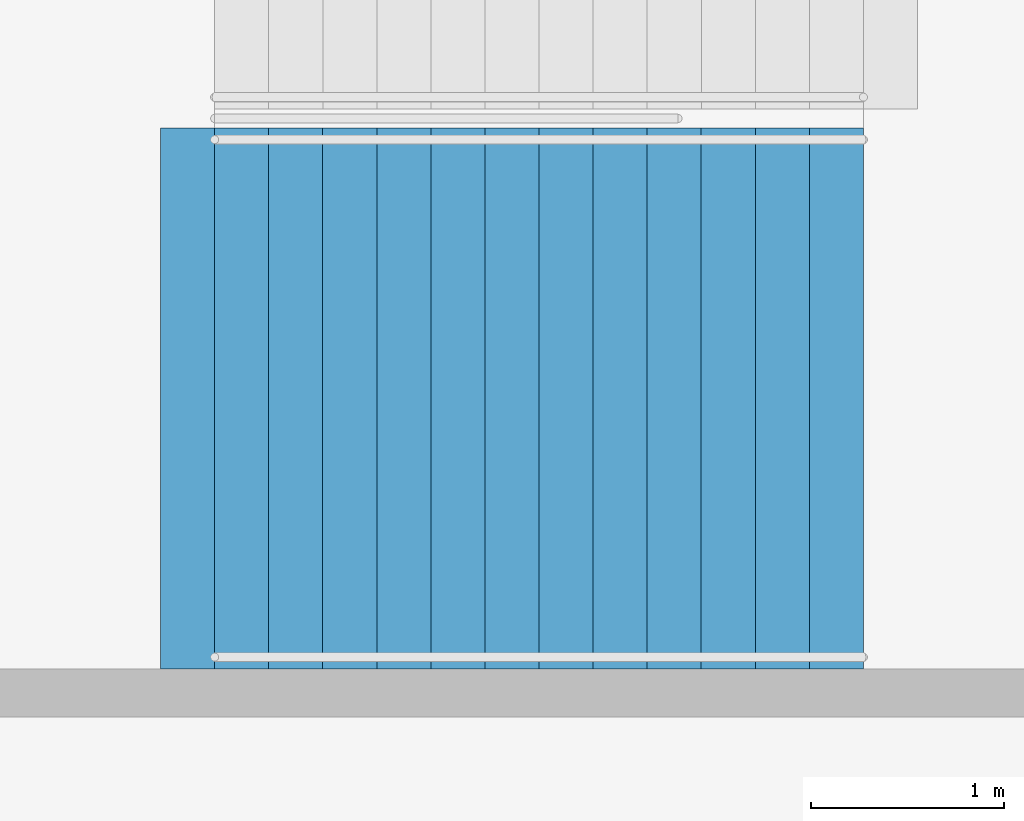
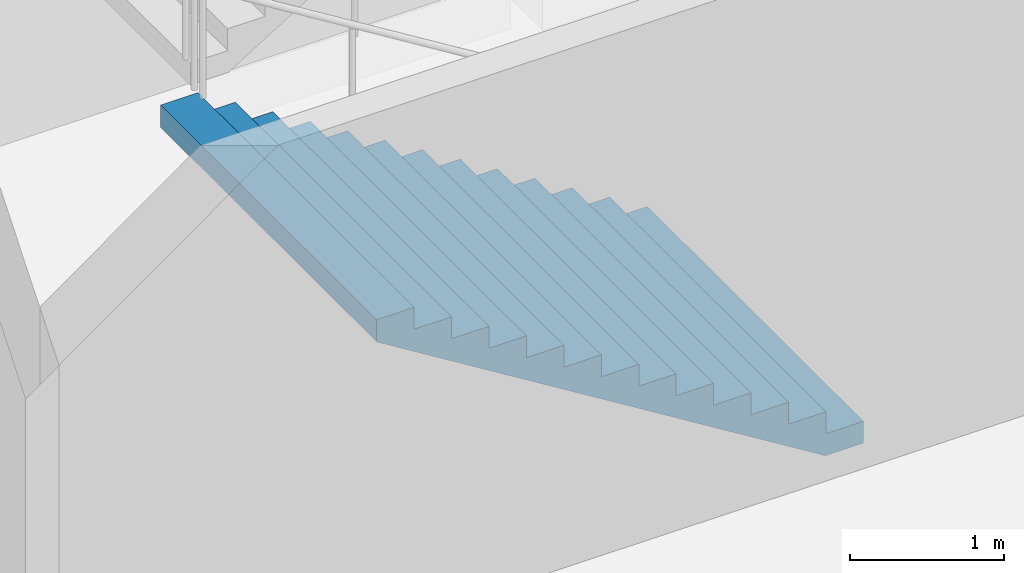
# One storey, part 78 of 175: 1 stair flight, 1 element without a shape of its own.
"""IFC4 building model written with IfcOpenShell, lengths in metres."""

from ifc_helpers import new_model, si_unit, direction, frame, origin, place, context, subcontext, project, spatial, faceted_brep, material, type_object, element, aggregate, save


model = new_model("IFC4")

# Units and contexts
model_context = context("Model", 3, precision=1e-05, world=origin(), true_north=direction((0.0, 1.0)))
body_context = subcontext(model_context, "Body", "Model", "MODEL_VIEW")
ifc_project = project(units=[si_unit("LENGTHUNIT", "METRE"), si_unit("AREAUNIT", "SQUARE_METRE"), si_unit("VOLUMEUNIT", "CUBIC_METRE"), si_unit("PLANEANGLEUNIT", "RADIAN"), si_unit("MASSUNIT", "GRAM", prefix="KILO")], contexts=[model_context])

# Site, building, storey
site_placement = place(None, origin())
site = spatial("IfcSite", under=ifc_project, at=site_placement, CompositionType="ELEMENT")
building_placement = place(site_placement, origin())
building = spatial("IfcBuilding", under=site, at=building_placement, Name="Ogive Plaza Stadium", CompositionType="ELEMENT")
storey_placement = place(building_placement, origin())
storey = spatial("IfcBuildingStorey", under=building, at=storey_placement, Name="L00", CompositionType="ELEMENT", Elevation=0.0)

# Stair, stair flight
ifc_material_1 = material(Name="Concrete C40/50", Category="concrete")
stair_type = type_object("IfcStairType", Name="Exit stair", PredefinedType="STRAIGHT_RUN_STAIR", material=ifc_material_1)
stair_placement = place(storey_placement, origin())
stair = element("IfcStair", 1, at=stair_placement, inside=storey, type_object=stair_type, Name="Exit stair ST24B L00 to L01", PredefinedType="STRAIGHT_RUN_STAIR")
ifc_material_2 = material(Name="Concrete C40/50", Category="concrete")
stair_flight_type = type_object("IfcStairFlightType", Name="Exit stair flight", PredefinedType="STRAIGHT", material=ifc_material_2)
stair_flight_placement = place(storey_placement, frame((-76.35009765625, -11.925048828125, 0.0), z_axis=(0.0, 0.0, 1.0), x_axis=(-1.0, 0.0, 0.0)))
stair_flight = element("IfcStairFlight", 2, at=stair_flight_placement, type_object=stair_flight_type, Name="ST24B flight 1", NumberOfRisers=13, NumberOfTreads=12, PredefinedType="STRAIGHT", RiserHeight=0.173076923, TreadLength=0.28, context=body_context, shape_type="Brep", body=[
    faceted_brep([(0.28515625, -1.39990234375, 0.0), (3.639892578125, -1.39990234375, 2.07373046875), (3.639892578125, -1.39990234375, 2.25), (3.360107421875, -1.39990234375, 2.25), (3.360107421875, -1.39990234375, 2.076904296875), (3.080078125, -1.39990234375, 2.076904296875), (3.080078125, -1.39990234375, 1.90380859375), (2.800048828125, -1.39990234375, 1.90380859375), (2.800048828125, -1.39990234375, 1.730712890625), (2.52001953125, -1.39990234375, 1.730712890625), (2.52001953125, -1.39990234375, 1.5576171875), (2.239990234375, -1.39990234375, 1.5576171875), (2.239990234375, -1.39990234375, 1.384521484375), (1.9599609375, -1.39990234375, 1.384521484375), (1.9599609375, -1.39990234375, 1.21142578125), (1.679931640625, -1.39990234375, 1.21142578125), (1.679931640625, -1.39990234375, 1.03857421875), (1.39990234375, -1.39990234375, 1.03857421875), (1.39990234375, -1.39990234375, 0.865478515625), (1.1201171875, -1.39990234375, 0.865478515625), (1.1201171875, -1.39990234375, 0.6923828125), (0.840087890625, -1.39990234375, 0.6923828125), (0.840087890625, -1.39990234375, 0.519287109375), (0.56005859375, -1.39990234375, 0.519287109375), (0.56005859375, -1.39990234375, 0.34619140625), (0.280029296875, -1.39990234375, 0.34619140625), (0.280029296875, -1.39990234375, 0.173095703125), (0.0, -1.39990234375, 0.173095703125), (0.0, -1.39990234375, 0.0), (0.0, 1.39990234375, 0.0), (0.0, 1.39990234375, 0.173095703125), (0.280029296875, 1.39990234375, 0.173095703125), (0.280029296875, 1.39990234375, 0.34619140625), (0.56005859375, 1.39990234375, 0.34619140625), (0.56005859375, 1.39990234375, 0.519287109375), (0.840087890625, 1.39990234375, 0.519287109375), (0.840087890625, 1.39990234375, 0.6923828125), (1.1201171875, 1.39990234375, 0.6923828125), (1.1201171875, 1.39990234375, 0.865478515625), (1.39990234375, 1.39990234375, 0.865478515625), (1.39990234375, 1.39990234375, 1.03857421875), (1.679931640625, 1.39990234375, 1.03857421875), (1.679931640625, 1.39990234375, 1.21142578125), (1.9599609375, 1.39990234375, 1.21142578125), (1.9599609375, 1.39990234375, 1.384521484375), (2.239990234375, 1.39990234375, 1.384521484375), (2.239990234375, 1.39990234375, 1.5576171875), (2.52001953125, 1.39990234375, 1.5576171875), (2.52001953125, 1.39990234375, 1.730712890625), (2.800048828125, 1.39990234375, 1.730712890625), (2.800048828125, 1.39990234375, 1.90380859375), (3.080078125, 1.39990234375, 1.90380859375), (3.080078125, 1.39990234375, 2.076904296875), (3.360107421875, 1.39990234375, 2.076904296875), (3.360107421875, 1.39990234375, 2.25), (3.639892578125, 1.39990234375, 2.25), (3.639892578125, 1.39990234375, 2.07373046875), (0.28515625, 1.39990234375, 0.0), (0.28515625, -1.0888671875, 0.0), (3.639892578125, -1.0888671875, 2.07373046875), (0.28515625, -0.77783203125, 0.0), (3.639892578125, -0.77783203125, 2.07373046875), (0.28515625, -0.466796875, 0.0), (3.639892578125, -0.466796875, 2.07373046875), (0.28515625, -0.155517578125, 0.0), (3.639892578125, -0.155517578125, 2.07373046875), (0.28515625, 0.155517578125, 0.0), (3.639892578125, 0.155517578125, 2.07373046875), (0.28515625, 0.466796875, 0.0), (3.639892578125, 0.466796875, 2.07373046875), (0.28515625, 0.77783203125, 0.0), (3.639892578125, 0.77783203125, 2.07373046875), (0.28515625, 1.0888671875, 0.0), (3.639892578125, 1.0888671875, 2.07373046875), (3.639892578125, -1.0888671875, 2.25), (3.639892578125, -0.77783203125, 2.25), (3.639892578125, -0.466796875, 2.25), (3.639892578125, -0.155517578125, 2.25), (3.639892578125, 0.155517578125, 2.25), (3.639892578125, 0.466796875, 2.25), (3.639892578125, 0.77783203125, 2.25), (3.639892578125, 1.0888671875, 2.25), (3.360107421875, -1.0888671875, 2.25), (3.360107421875, -0.77783203125, 2.25), (3.360107421875, -0.466796875, 2.25), (3.360107421875, -0.155517578125, 2.25), (3.360107421875, 0.155517578125, 2.25), (3.360107421875, 0.466796875, 2.25), (3.360107421875, 0.77783203125, 2.25), (3.360107421875, 1.0888671875, 2.25), (3.360107421875, -1.0888671875, 2.076904296875), (3.360107421875, -0.77783203125, 2.076904296875), (3.360107421875, -0.466796875, 2.076904296875), (3.360107421875, -0.155517578125, 2.076904296875), (3.360107421875, 0.155517578125, 2.076904296875), (3.360107421875, 0.466796875, 2.076904296875), (3.360107421875, 0.77783203125, 2.076904296875), (3.360107421875, 1.0888671875, 2.076904296875), (3.080078125, -1.0888671875, 2.076904296875), (3.080078125, -0.77783203125, 2.076904296875), (3.080078125, -0.466796875, 2.076904296875), (3.080078125, -0.155517578125, 2.076904296875), (3.080078125, 0.155517578125, 2.076904296875), (3.080078125, 0.466796875, 2.076904296875), (3.080078125, 0.77783203125, 2.076904296875), (3.080078125, 1.0888671875, 2.076904296875), (3.080078125, -1.0888671875, 1.90380859375), (3.080078125, -0.77783203125, 1.90380859375), (3.080078125, -0.466796875, 1.90380859375), (3.080078125, -0.155517578125, 1.90380859375), (3.080078125, 0.155517578125, 1.90380859375), (3.080078125, 0.466796875, 1.90380859375), (3.080078125, 0.77783203125, 1.90380859375), (3.080078125, 1.0888671875, 1.90380859375), (2.800048828125, -1.0888671875, 1.90380859375), (2.800048828125, -0.77783203125, 1.90380859375), (2.800048828125, -0.466796875, 1.90380859375), (2.800048828125, -0.155517578125, 1.90380859375), (2.800048828125, 0.155517578125, 1.90380859375), (2.800048828125, 0.466796875, 1.90380859375), (2.800048828125, 0.77783203125, 1.90380859375), (2.800048828125, 1.0888671875, 1.90380859375), (2.800048828125, -1.0888671875, 1.730712890625), (2.800048828125, -0.77783203125, 1.730712890625), (2.800048828125, -0.466796875, 1.730712890625), (2.800048828125, -0.155517578125, 1.730712890625), (2.800048828125, 0.155517578125, 1.730712890625), (2.800048828125, 0.466796875, 1.730712890625), (2.800048828125, 0.77783203125, 1.730712890625), (2.800048828125, 1.0888671875, 1.730712890625), (2.52001953125, -1.0888671875, 1.730712890625), (2.52001953125, -0.77783203125, 1.730712890625), (2.52001953125, -0.466796875, 1.730712890625), (2.52001953125, -0.155517578125, 1.730712890625), (2.52001953125, 0.155517578125, 1.730712890625), (2.52001953125, 0.466796875, 1.730712890625), (2.52001953125, 0.77783203125, 1.730712890625), (2.52001953125, 1.0888671875, 1.730712890625), (2.52001953125, -1.0888671875, 1.5576171875), (2.52001953125, -0.77783203125, 1.5576171875), (2.52001953125, -0.466796875, 1.5576171875), (2.52001953125, -0.155517578125, 1.5576171875), (2.52001953125, 0.155517578125, 1.5576171875), (2.52001953125, 0.466796875, 1.5576171875), (2.52001953125, 0.77783203125, 1.5576171875), (2.52001953125, 1.0888671875, 1.5576171875), (2.239990234375, -1.0888671875, 1.5576171875), (2.239990234375, -0.77783203125, 1.5576171875), (2.239990234375, -0.466796875, 1.5576171875), (2.239990234375, -0.155517578125, 1.5576171875), (2.239990234375, 0.155517578125, 1.5576171875), (2.239990234375, 0.466796875, 1.5576171875), (2.239990234375, 0.77783203125, 1.5576171875), (2.239990234375, 1.0888671875, 1.5576171875), (2.239990234375, -1.0888671875, 1.384521484375), (2.239990234375, -0.77783203125, 1.384521484375), (2.239990234375, -0.466796875, 1.384521484375), (2.239990234375, -0.155517578125, 1.384521484375), (2.239990234375, 0.155517578125, 1.384521484375), (2.239990234375, 0.466796875, 1.384521484375), (2.239990234375, 0.77783203125, 1.384521484375), (2.239990234375, 1.0888671875, 1.384521484375), (1.9599609375, -1.0888671875, 1.384521484375), (1.9599609375, -0.77783203125, 1.384521484375), (1.9599609375, -0.466796875, 1.384521484375), (1.9599609375, -0.155517578125, 1.384521484375), (1.9599609375, 0.155517578125, 1.384521484375), (1.9599609375, 0.466796875, 1.384521484375), (1.9599609375, 0.77783203125, 1.384521484375), (1.9599609375, 1.0888671875, 1.384521484375), (1.9599609375, -1.0888671875, 1.21142578125), (1.9599609375, -0.77783203125, 1.21142578125), (1.9599609375, -0.466796875, 1.21142578125), (1.9599609375, -0.155517578125, 1.21142578125), (1.9599609375, 0.155517578125, 1.21142578125), (1.9599609375, 0.466796875, 1.21142578125), (1.9599609375, 0.77783203125, 1.21142578125), (1.9599609375, 1.0888671875, 1.21142578125), (1.679931640625, -1.0888671875, 1.21142578125), (1.679931640625, -0.77783203125, 1.21142578125), (1.679931640625, -0.466796875, 1.21142578125), (1.679931640625, -0.155517578125, 1.21142578125), (1.679931640625, 0.155517578125, 1.21142578125), (1.679931640625, 0.466796875, 1.21142578125), (1.679931640625, 0.77783203125, 1.21142578125), (1.679931640625, 1.0888671875, 1.21142578125), (1.679931640625, -1.0888671875, 1.03857421875), (1.679931640625, -0.77783203125, 1.03857421875), (1.679931640625, -0.466796875, 1.03857421875), (1.679931640625, -0.155517578125, 1.03857421875), (1.679931640625, 0.155517578125, 1.03857421875), (1.679931640625, 0.466796875, 1.03857421875), (1.679931640625, 0.77783203125, 1.03857421875), (1.679931640625, 1.0888671875, 1.03857421875), (1.39990234375, -1.0888671875, 1.03857421875), (1.39990234375, -0.77783203125, 1.03857421875), (1.39990234375, -0.466796875, 1.03857421875), (1.39990234375, -0.155517578125, 1.03857421875), (1.39990234375, 0.155517578125, 1.03857421875), (1.39990234375, 0.466796875, 1.03857421875), (1.39990234375, 0.77783203125, 1.03857421875), (1.39990234375, 1.0888671875, 1.03857421875), (1.39990234375, -1.0888671875, 0.865478515625), (1.39990234375, -0.77783203125, 0.865478515625), (1.39990234375, -0.466796875, 0.865478515625), (1.39990234375, -0.155517578125, 0.865478515625), (1.39990234375, 0.155517578125, 0.865478515625), (1.39990234375, 0.466796875, 0.865478515625), (1.39990234375, 0.77783203125, 0.865478515625), (1.39990234375, 1.0888671875, 0.865478515625), (1.1201171875, -1.0888671875, 0.865478515625), (1.1201171875, -0.77783203125, 0.865478515625), (1.1201171875, -0.466796875, 0.865478515625), (1.1201171875, -0.155517578125, 0.865478515625), (1.1201171875, 0.155517578125, 0.865478515625), (1.1201171875, 0.466796875, 0.865478515625), (1.1201171875, 0.77783203125, 0.865478515625), (1.1201171875, 1.0888671875, 0.865478515625), (1.1201171875, -1.0888671875, 0.6923828125), (1.1201171875, -0.77783203125, 0.6923828125), (1.1201171875, -0.466796875, 0.6923828125), (1.1201171875, -0.155517578125, 0.6923828125), (1.1201171875, 0.155517578125, 0.6923828125), (1.1201171875, 0.466796875, 0.6923828125), (1.1201171875, 0.77783203125, 0.6923828125), (1.1201171875, 1.0888671875, 0.6923828125), (0.840087890625, -1.0888671875, 0.6923828125), (0.840087890625, -0.77783203125, 0.6923828125), (0.840087890625, -0.466796875, 0.6923828125), (0.840087890625, -0.155517578125, 0.6923828125), (0.840087890625, 0.155517578125, 0.6923828125), (0.840087890625, 0.466796875, 0.6923828125), (0.840087890625, 0.77783203125, 0.6923828125), (0.840087890625, 1.0888671875, 0.6923828125), (0.840087890625, -1.0888671875, 0.519287109375), (0.840087890625, -0.77783203125, 0.519287109375), (0.840087890625, -0.466796875, 0.519287109375), (0.840087890625, -0.155517578125, 0.519287109375), (0.840087890625, 0.155517578125, 0.519287109375), (0.840087890625, 0.466796875, 0.519287109375), (0.840087890625, 0.77783203125, 0.519287109375), (0.840087890625, 1.0888671875, 0.519287109375), (0.56005859375, -1.0888671875, 0.519287109375), (0.56005859375, -0.77783203125, 0.519287109375), (0.56005859375, -0.466796875, 0.519287109375), (0.56005859375, -0.155517578125, 0.519287109375), (0.56005859375, 0.155517578125, 0.519287109375), (0.56005859375, 0.466796875, 0.519287109375), (0.56005859375, 0.77783203125, 0.519287109375), (0.56005859375, 1.0888671875, 0.519287109375), (0.56005859375, -1.0888671875, 0.34619140625), (0.56005859375, -0.77783203125, 0.34619140625), (0.56005859375, -0.466796875, 0.34619140625), (0.56005859375, -0.155517578125, 0.34619140625), (0.56005859375, 0.155517578125, 0.34619140625), (0.56005859375, 0.466796875, 0.34619140625), (0.56005859375, 0.77783203125, 0.34619140625), (0.56005859375, 1.0888671875, 0.34619140625), (0.280029296875, -1.0888671875, 0.34619140625), (0.280029296875, -0.77783203125, 0.34619140625), (0.280029296875, -0.466796875, 0.34619140625), (0.280029296875, -0.155517578125, 0.34619140625), (0.280029296875, 0.155517578125, 0.34619140625), (0.280029296875, 0.466796875, 0.34619140625), (0.280029296875, 0.77783203125, 0.34619140625), (0.280029296875, 1.0888671875, 0.34619140625), (0.280029296875, -1.0888671875, 0.173095703125), (0.280029296875, -0.77783203125, 0.173095703125), (0.280029296875, -0.466796875, 0.173095703125), (0.280029296875, -0.155517578125, 0.173095703125), (0.280029296875, 0.155517578125, 0.173095703125), (0.280029296875, 0.466796875, 0.173095703125), (0.280029296875, 0.77783203125, 0.173095703125), (0.280029296875, 1.0888671875, 0.173095703125), (0.0, -1.0888671875, 0.173095703125), (0.0, -0.77783203125, 0.173095703125), (0.0, -0.466796875, 0.173095703125), (0.0, -0.155517578125, 0.173095703125), (0.0, 0.155517578125, 0.173095703125), (0.0, 0.466796875, 0.173095703125), (0.0, 0.77783203125, 0.173095703125), (0.0, 1.0888671875, 0.173095703125), (0.0, -1.0888671875, 0.0), (0.0, -0.77783203125, 0.0), (0.0, -0.466796875, 0.0), (0.0, -0.155517578125, 0.0), (0.0, 0.155517578125, 0.0), (0.0, 0.466796875, 0.0), (0.0, 0.77783203125, 0.0), (0.0, 1.0888671875, 0.0)], [[[0, 1, 2, 3, 4, 5, 6, 7, 8, 9, 10, 11, 12, 13, 14, 15, 16, 17, 18, 19, 20, 21, 22, 23, 24, 25, 26, 27, 28]], [[29, 30, 31, 32, 33, 34, 35, 36, 37, 38, 39, 40, 41, 42, 43, 44, 45, 46, 47, 48, 49, 50, 51, 52, 53, 54, 55, 56, 57]], [[0, 58, 59, 1]], [[58, 60, 61, 59]], [[60, 62, 63, 61]], [[62, 64, 65, 63]], [[64, 66, 67, 65]], [[66, 68, 69, 67]], [[68, 70, 71, 69]], [[70, 72, 73, 71]], [[72, 57, 56, 73]], [[1, 59, 74, 2]], [[59, 61, 75, 74]], [[61, 63, 76, 75]], [[63, 65, 77, 76]], [[65, 67, 78, 77]], [[67, 69, 79, 78]], [[69, 71, 80, 79]], [[71, 73, 81, 80]], [[73, 56, 55, 81]], [[2, 74, 82, 3]], [[74, 75, 83, 82]], [[75, 76, 84, 83]], [[76, 77, 85, 84]], [[77, 78, 86, 85]], [[78, 79, 87, 86]], [[79, 80, 88, 87]], [[80, 81, 89, 88]], [[81, 55, 54, 89]], [[3, 82, 90, 4]], [[82, 83, 91, 90]], [[83, 84, 92, 91]], [[84, 85, 93, 92]], [[85, 86, 94, 93]], [[86, 87, 95, 94]], [[87, 88, 96, 95]], [[88, 89, 97, 96]], [[89, 54, 53, 97]], [[4, 90, 98, 5]], [[90, 91, 99, 98]], [[91, 92, 100, 99]], [[92, 93, 101, 100]], [[93, 94, 102, 101]], [[94, 95, 103, 102]], [[95, 96, 104, 103]], [[96, 97, 105, 104]], [[97, 53, 52, 105]], [[5, 98, 106, 6]], [[98, 99, 107, 106]], [[99, 100, 108, 107]], [[100, 101, 109, 108]], [[101, 102, 110, 109]], [[102, 103, 111, 110]], [[103, 104, 112, 111]], [[104, 105, 113, 112]], [[105, 52, 51, 113]], [[6, 106, 114, 7]], [[106, 107, 115, 114]], [[107, 108, 116, 115]], [[108, 109, 117, 116]], [[109, 110, 118, 117]], [[110, 111, 119, 118]], [[111, 112, 120, 119]], [[112, 113, 121, 120]], [[113, 51, 50, 121]], [[7, 114, 122, 8]], [[114, 115, 123, 122]], [[115, 116, 124, 123]], [[116, 117, 125, 124]], [[117, 118, 126, 125]], [[118, 119, 127, 126]], [[119, 120, 128, 127]], [[120, 121, 129, 128]], [[121, 50, 49, 129]], [[8, 122, 130, 9]], [[122, 123, 131, 130]], [[123, 124, 132, 131]], [[124, 125, 133, 132]], [[125, 126, 134, 133]], [[126, 127, 135, 134]], [[127, 128, 136, 135]], [[128, 129, 137, 136]], [[129, 49, 48, 137]], [[9, 130, 138, 10]], [[130, 131, 139, 138]], [[131, 132, 140, 139]], [[132, 133, 141, 140]], [[133, 134, 142, 141]], [[134, 135, 143, 142]], [[135, 136, 144, 143]], [[136, 137, 145, 144]], [[137, 48, 47, 145]], [[10, 138, 146, 11]], [[138, 139, 147, 146]], [[139, 140, 148, 147]], [[140, 141, 149, 148]], [[141, 142, 150, 149]], [[142, 143, 151, 150]], [[143, 144, 152, 151]], [[144, 145, 153, 152]], [[145, 47, 46, 153]], [[11, 146, 154, 12]], [[146, 147, 155, 154]], [[147, 148, 156, 155]], [[148, 149, 157, 156]], [[149, 150, 158, 157]], [[150, 151, 159, 158]], [[151, 152, 160, 159]], [[152, 153, 161, 160]], [[153, 46, 45, 161]], [[12, 154, 162, 13]], [[154, 155, 163, 162]], [[155, 156, 164, 163]], [[156, 157, 165, 164]], [[157, 158, 166, 165]], [[158, 159, 167, 166]], [[159, 160, 168, 167]], [[160, 161, 169, 168]], [[161, 45, 44, 169]], [[13, 162, 170, 14]], [[162, 163, 171, 170]], [[163, 164, 172, 171]], [[164, 165, 173, 172]], [[165, 166, 174, 173]], [[166, 167, 175, 174]], [[167, 168, 176, 175]], [[168, 169, 177, 176]], [[169, 44, 43, 177]], [[14, 170, 178, 15]], [[170, 171, 179, 178]], [[171, 172, 180, 179]], [[172, 173, 181, 180]], [[173, 174, 182, 181]], [[174, 175, 183, 182]], [[175, 176, 184, 183]], [[176, 177, 185, 184]], [[177, 43, 42, 185]], [[15, 178, 186, 16]], [[178, 179, 187, 186]], [[179, 180, 188, 187]], [[180, 181, 189, 188]], [[181, 182, 190, 189]], [[182, 183, 191, 190]], [[183, 184, 192, 191]], [[184, 185, 193, 192]], [[185, 42, 41, 193]], [[16, 186, 194, 17]], [[186, 187, 195, 194]], [[187, 188, 196, 195]], [[188, 189, 197, 196]], [[189, 190, 198, 197]], [[190, 191, 199, 198]], [[191, 192, 200, 199]], [[192, 193, 201, 200]], [[193, 41, 40, 201]], [[17, 194, 202, 18]], [[194, 195, 203, 202]], [[195, 196, 204, 203]], [[196, 197, 205, 204]], [[197, 198, 206, 205]], [[198, 199, 207, 206]], [[199, 200, 208, 207]], [[200, 201, 209, 208]], [[201, 40, 39, 209]], [[18, 202, 210, 19]], [[202, 203, 211, 210]], [[203, 204, 212, 211]], [[204, 205, 213, 212]], [[205, 206, 214, 213]], [[206, 207, 215, 214]], [[207, 208, 216, 215]], [[208, 209, 217, 216]], [[209, 39, 38, 217]], [[19, 210, 218, 20]], [[210, 211, 219, 218]], [[211, 212, 220, 219]], [[212, 213, 221, 220]], [[213, 214, 222, 221]], [[214, 215, 223, 222]], [[215, 216, 224, 223]], [[216, 217, 225, 224]], [[217, 38, 37, 225]], [[20, 218, 226, 21]], [[218, 219, 227, 226]], [[219, 220, 228, 227]], [[220, 221, 229, 228]], [[221, 222, 230, 229]], [[222, 223, 231, 230]], [[223, 224, 232, 231]], [[224, 225, 233, 232]], [[225, 37, 36, 233]], [[21, 226, 234, 22]], [[226, 227, 235, 234]], [[227, 228, 236, 235]], [[228, 229, 237, 236]], [[229, 230, 238, 237]], [[230, 231, 239, 238]], [[231, 232, 240, 239]], [[232, 233, 241, 240]], [[233, 36, 35, 241]], [[22, 234, 242, 23]], [[234, 235, 243, 242]], [[235, 236, 244, 243]], [[236, 237, 245, 244]], [[237, 238, 246, 245]], [[238, 239, 247, 246]], [[239, 240, 248, 247]], [[240, 241, 249, 248]], [[241, 35, 34, 249]], [[23, 242, 250, 24]], [[242, 243, 251, 250]], [[243, 244, 252, 251]], [[244, 245, 253, 252]], [[245, 246, 254, 253]], [[246, 247, 255, 254]], [[247, 248, 256, 255]], [[248, 249, 257, 256]], [[249, 34, 33, 257]], [[24, 250, 258, 25]], [[250, 251, 259, 258]], [[251, 252, 260, 259]], [[252, 253, 261, 260]], [[253, 254, 262, 261]], [[254, 255, 263, 262]], [[255, 256, 264, 263]], [[256, 257, 265, 264]], [[257, 33, 32, 265]], [[25, 258, 266, 26]], [[258, 259, 267, 266]], [[259, 260, 268, 267]], [[260, 261, 269, 268]], [[261, 262, 270, 269]], [[262, 263, 271, 270]], [[263, 264, 272, 271]], [[264, 265, 273, 272]], [[265, 32, 31, 273]], [[26, 266, 274, 27]], [[266, 267, 275, 274]], [[267, 268, 276, 275]], [[268, 269, 277, 276]], [[269, 270, 278, 277]], [[270, 271, 279, 278]], [[271, 272, 280, 279]], [[272, 273, 281, 280]], [[273, 31, 30, 281]], [[27, 274, 282, 28]], [[274, 275, 283, 282]], [[275, 276, 284, 283]], [[276, 277, 285, 284]], [[277, 278, 286, 285]], [[278, 279, 287, 286]], [[279, 280, 288, 287]], [[280, 281, 289, 288]], [[281, 30, 29, 289]], [[28, 282, 58, 0]], [[282, 283, 60, 58]], [[283, 284, 62, 60]], [[284, 285, 64, 62]], [[285, 286, 66, 64]], [[286, 287, 68, 66]], [[287, 288, 70, 68]], [[288, 289, 72, 70]], [[289, 29, 57, 72]]]),
])
aggregate(stair, [stair_flight])

save(model, "model.ifc")
